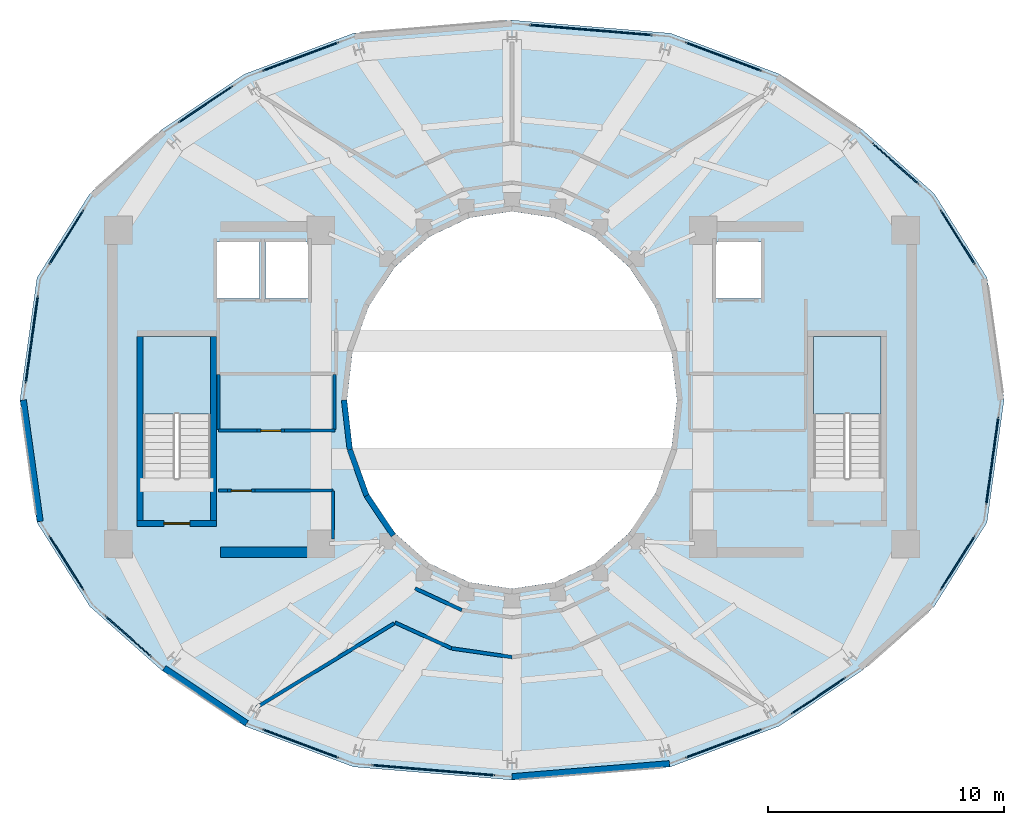
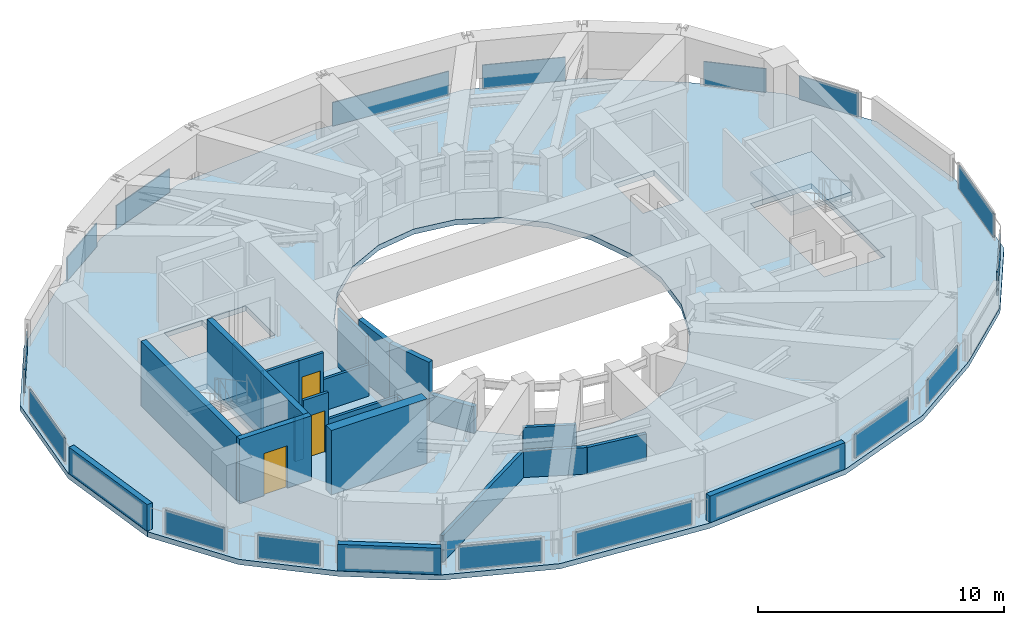
# One storey, part 13 of 18: 23 walls, 16 plates, 3 doors, 3 slabs, 3 openings, 18 elements without a shape of their own.
"""IFC4 building model written with IfcOpenShell, lengths in metres."""

from ifc_helpers import new_model, si_unit, direction, frame, frame_2d, origin, origin_2d, place, context, subcontext, project, spatial, polyline, rectangle, outline, extrude, material, layer, layer_set, type_object, element, fill, aggregate, save


model = new_model("IFC4")

# Units and contexts
model_context = context("Model", 3, precision=1e-05, world=origin(), true_north=direction((0.0, 1.0)))
body_context = subcontext(model_context, "Body", "Model", "MODEL_VIEW")
ifc_project = project(units=[si_unit("LENGTHUNIT", "METRE"), si_unit("AREAUNIT", "SQUARE_METRE"), si_unit("VOLUMEUNIT", "CUBIC_METRE"), si_unit("PLANEANGLEUNIT", "RADIAN"), si_unit("MASSUNIT", "GRAM", prefix="KILO")], contexts=[model_context])

# Site, building, storey
site_placement = place(None, origin())
site = spatial("IfcSite", under=ifc_project, at=site_placement, CompositionType="ELEMENT")
building_placement = place(site_placement, origin())
building = spatial("IfcBuilding", under=site, at=building_placement, Name="Solvane Sanctuary Tower", CompositionType="ELEMENT")
storey_placement = place(building_placement, frame((0.0, 0.0, 263.60009765625)))
storey = spatial("IfcBuildingStorey", under=building, at=storey_placement, Name="L80", CompositionType="ELEMENT", Elevation=263.60009765625)

# Curtain wall, plate
ifc_material_1 = material(Name="Anodised Aluminium 6063-T6", Category="aluminium")
ifc_layer_1 = layer(ifc_material_1, 0.219970703125, Name="Anodised Aluminium 6063-T6")
ifc_layer_set_1 = layer_set([ifc_layer_1], Name="Anodised Aluminium 6063-T6")
curtain_wall_type = type_object("IfcCurtainWallType", Name="Curtain Wall CW-CROWN", PredefinedType="NOTDEFINED", material=ifc_layer_set_1)
curtain_wall_1_placement = place(storey_placement, origin())
curtain_wall_1 = element("IfcCurtainWall", 1, at=curtain_wall_1_placement, inside=storey, type_object=curtain_wall_type, Name="L80 Crown Fritted Lantern Curtain Wall 01", PredefinedType="NOTDEFINED")
ifc_material_2 = material(Name="Acoustic Spandrel Glass", Category="glass")
ifc_layer_2 = layer(ifc_material_2, 0.052001953125, Name="Acoustic Spandrel Glass")
ifc_layer_set_2 = layer_set([ifc_layer_2], Name="Acoustic Spandrel Glass")
plate_type = type_object("IfcPlateType", Name="Plate PN-SPANDREL", PredefinedType="CURTAIN_PANEL", material=ifc_layer_set_2)
plate_1_placement = place(storey_placement, frame((50.893310546875, 29.908203125, 0.074951171875), z_axis=(0.0, 0.0, 1.0), x_axis=(-0.533045395022, 0.846086642635, 0.0)))
plate_1 = element("IfcPlate", 2, at=plate_1_placement, type_object=plate_type, Name="CW-CROWN panel 1.1", PredefinedType="CURTAIN_PANEL", context=body_context, shape_type="SweptSolid", body=[
    extrude(rectangle(XDim=2.7177734375, YDim=0.052001953125, at=origin_2d()), origin(), (0.0, 0.0, 1.0), 1.169921875),
])
aggregate(curtain_wall_1, [plate_1])

curtain_wall_2_placement = place(storey_placement, origin())
curtain_wall_2 = element("IfcCurtainWall", 3, at=curtain_wall_2_placement, inside=storey, type_object=curtain_wall_type, Name="L80 Crown Fritted Lantern Curtain Wall 02", PredefinedType="NOTDEFINED")
plate_2_placement = place(storey_placement, frame((48.264404296875, 33.018310546875, 0.074951171875), z_axis=(0.0, 0.0, 1.0), x_axis=(-0.748020944116, 0.663675121701, 0.0)))
plate_2 = element("IfcPlate", 4, at=plate_2_placement, type_object=plate_type, Name="CW-CROWN panel 1.1", PredefinedType="CURTAIN_PANEL", context=body_context, shape_type="SweptSolid", body=[
    extrude(rectangle(XDim=2.60888671875, YDim=0.052001953125, at=origin_2d()), origin(), (0.0, 0.0, 1.0), 1.169921875),
])
aggregate(curtain_wall_2, [plate_2])

curtain_wall_3_placement = place(storey_placement, origin())
curtain_wall_3 = element("IfcCurtainWall", 5, at=curtain_wall_3_placement, inside=storey, type_object=curtain_wall_type, Name="L80 Crown Fritted Lantern Curtain Wall 04", PredefinedType="NOTDEFINED")
plate_3_placement = place(storey_placement, frame((40.96337890625, 37.56103515625, 0.074951171875), z_axis=(0.0, 0.0, 1.0), x_axis=(-0.936555938396, 0.350518151106, 0.0)))
plate_3 = element("IfcPlate", 6, at=plate_3_placement, type_object=plate_type, Name="CW-CROWN panel 1.1", PredefinedType="CURTAIN_PANEL", context=body_context, shape_type="SweptSolid", body=[
    extrude(rectangle(XDim=3.435302734375, YDim=0.052001953125, at=origin_2d()), origin(), (0.0, 0.0, 1.0), 1.169921875),
])
aggregate(curtain_wall_3, [plate_3])

curtain_wall_4_placement = place(storey_placement, origin())
curtain_wall_4 = element("IfcCurtainWall", 7, at=curtain_wall_4_placement, inside=storey, type_object=curtain_wall_type, Name="L80 Crown Fritted Lantern Curtain Wall 05", PredefinedType="NOTDEFINED")
plate_4_placement = place(storey_placement, frame((35.337890625, 38.693115234375, 0.074951171875), z_axis=(0.0, 0.0, 1.0), x_axis=(-0.996601360103, 0.082375536663, 0.0)))
plate_4 = element("IfcPlate", 8, at=plate_4_placement, type_object=plate_type, Name="CW-CROWN panel 1.1", PredefinedType="CURTAIN_PANEL", context=body_context, shape_type="SweptSolid", body=[
    extrude(rectangle(XDim=5.24853515625, YDim=0.052001953125, at=origin_2d()), origin(), (0.0, 0.0, 1.0), 1.169921875),
])
aggregate(curtain_wall_4, [plate_4])

curtain_wall_5_placement = place(storey_placement, origin())
curtain_wall_5 = element("IfcCurtainWall", 9, at=curtain_wall_5_placement, inside=storey, type_object=curtain_wall_type, Name="L80 Crown Fritted Lantern Curtain Wall 07", PredefinedType="NOTDEFINED")
plate_5_placement = place(storey_placement, frame((23.03662109375, 37.56103515625, 0.074951171875), z_axis=(0.0, 0.0, 1.0), x_axis=(-0.936555938396, -0.350518151106, 0.0)))
plate_5 = element("IfcPlate", 10, at=plate_5_placement, type_object=plate_type, Name="CW-CROWN panel 1.1", PredefinedType="CURTAIN_PANEL", context=body_context, shape_type="SweptSolid", body=[
    extrude(rectangle(XDim=3.435302734375, YDim=0.052001953125, at=origin_2d()), origin(), (0.0, 0.0, 1.0), 1.169921875),
])
aggregate(curtain_wall_5, [plate_5])

curtain_wall_6_placement = place(storey_placement, origin())
curtain_wall_6 = element("IfcCurtainWall", 11, at=curtain_wall_6_placement, inside=storey, type_object=curtain_wall_type, Name="L80 Crown Fritted Lantern Curtain Wall 08", PredefinedType="NOTDEFINED")
plate_6_placement = place(storey_placement, frame((19.001220703125, 35.53515625, 0.074951171875), z_axis=(0.0, 0.0, 1.0), x_axis=(-0.830995369933, -0.556279331945, 0.0)))
plate_6 = element("IfcPlate", 12, at=plate_6_placement, type_object=plate_type, Name="CW-CROWN panel 1.1", PredefinedType="CURTAIN_PANEL", context=body_context, shape_type="SweptSolid", body=[
    extrude(rectangle(XDim=2.75634765625, YDim=0.052001953125, at=origin_2d()), origin(), (0.0, 0.0, 1.0), 1.169921875),
])
aggregate(curtain_wall_6, [plate_6])

curtain_wall_7_placement = place(storey_placement, origin())
curtain_wall_7 = element("IfcCurtainWall", 13, at=curtain_wall_7_placement, inside=storey, type_object=curtain_wall_type, Name="L80 Crown Fritted Lantern Curtain Wall 10", PredefinedType="NOTDEFINED")
plate_7_placement = place(storey_placement, frame((13.106689453125, 29.908203125, 0.074951171875), z_axis=(0.0, 0.0, 1.0), x_axis=(-0.533045395022, -0.846086642635, 0.0)))
plate_7 = element("IfcPlate", 14, at=plate_7_placement, type_object=plate_type, Name="CW-CROWN panel 1.1", PredefinedType="CURTAIN_PANEL", context=body_context, shape_type="SweptSolid", body=[
    extrude(rectangle(XDim=2.7177734375, YDim=0.052001953125, at=origin_2d()), origin(), (0.0, 0.0, 1.0), 1.169921875),
])
aggregate(curtain_wall_7, [plate_7])

curtain_wall_8_placement = place(storey_placement, origin())
curtain_wall_8 = element("IfcCurtainWall", 15, at=curtain_wall_8_placement, inside=storey, type_object=curtain_wall_type, Name="L80 Crown Fritted Lantern Curtain Wall 11", PredefinedType="NOTDEFINED")
plate_8_placement = place(storey_placement, frame((11.637939453125, 25.572509765625, 0.074951171875), z_axis=(0.0, 0.0, 1.0), x_axis=(-0.13780768099, -0.990459006249, 0.0)))
plate_8 = element("IfcPlate", 16, at=plate_8_placement, type_object=plate_type, Name="CW-CROWN panel 1.1", PredefinedType="CURTAIN_PANEL", context=body_context, shape_type="SweptSolid", body=[
    extrude(rectangle(XDim=3.74462890625, YDim=0.052001953125, at=origin_2d()), origin(), (0.0, 0.0, 1.0), 1.169921875),
])
aggregate(curtain_wall_8, [plate_8])

curtain_wall_9_placement = place(storey_placement, origin())
curtain_wall_9 = element("IfcCurtainWall", 17, at=curtain_wall_9_placement, inside=storey, type_object=curtain_wall_type, Name="L80 Crown Fritted Lantern Curtain Wall 13", PredefinedType="NOTDEFINED")
plate_9_placement = place(storey_placement, frame((13.106689453125, 16.091796875, 0.074951171875), z_axis=(0.0, 0.0, 1.0), x_axis=(0.533045395022, -0.846086642635, 0.0)))
plate_9 = element("IfcPlate", 18, at=plate_9_placement, type_object=plate_type, Name="CW-CROWN panel 1.1", PredefinedType="CURTAIN_PANEL", context=body_context, shape_type="SweptSolid", body=[
    extrude(rectangle(XDim=2.7177734375, YDim=0.052001953125, at=origin_2d()), origin(), (0.0, 0.0, 1.0), 1.169921875),
])
aggregate(curtain_wall_9, [plate_9])

curtain_wall_10_placement = place(storey_placement, origin())
curtain_wall_10 = element("IfcCurtainWall", 19, at=curtain_wall_10_placement, inside=storey, type_object=curtain_wall_type, Name="L80 Crown Fritted Lantern Curtain Wall 14", PredefinedType="NOTDEFINED")
plate_10_placement = place(storey_placement, frame((15.735595703125, 12.981689453125, 0.074951171875), z_axis=(0.0, 0.0, 1.0), x_axis=(0.748020944116, -0.663675121701, 0.0)))
plate_10 = element("IfcPlate", 20, at=plate_10_placement, type_object=plate_type, Name="CW-CROWN panel 1.1", PredefinedType="CURTAIN_PANEL", context=body_context, shape_type="SweptSolid", body=[
    extrude(rectangle(XDim=2.60888671875, YDim=0.052001953125, at=origin_2d()), origin(), (0.0, 0.0, 1.0), 1.169921875),
])
aggregate(curtain_wall_10, [plate_10])

curtain_wall_11_placement = place(storey_placement, origin())
curtain_wall_11 = element("IfcCurtainWall", 21, at=curtain_wall_11_placement, inside=storey, type_object=curtain_wall_type, Name="L80 Crown Fritted Lantern Curtain Wall 16", PredefinedType="NOTDEFINED")
plate_11_placement = place(storey_placement, frame((23.03662109375, 8.43896484375, 0.074951171875), z_axis=(0.0, 0.0, 1.0), x_axis=(0.936555938396, -0.350518151106, 0.0)))
plate_11 = element("IfcPlate", 22, at=plate_11_placement, type_object=plate_type, Name="CW-CROWN panel 1.1", PredefinedType="CURTAIN_PANEL", context=body_context, shape_type="SweptSolid", body=[
    extrude(rectangle(XDim=3.435302734375, YDim=0.052001953125, at=origin_2d()), origin(), (0.0, 0.0, 1.0), 1.169921875),
])
aggregate(curtain_wall_11, [plate_11])

curtain_wall_12_placement = place(storey_placement, origin())
curtain_wall_12 = element("IfcCurtainWall", 23, at=curtain_wall_12_placement, inside=storey, type_object=curtain_wall_type, Name="L80 Crown Fritted Lantern Curtain Wall 17", PredefinedType="NOTDEFINED")
plate_12_placement = place(storey_placement, frame((28.662109375, 7.306884765625, 0.074951171875), z_axis=(0.0, 0.0, 1.0), x_axis=(0.996601360103, -0.082375536663, 0.0)))
plate_12 = element("IfcPlate", 24, at=plate_12_placement, type_object=plate_type, Name="CW-CROWN panel 1.1", PredefinedType="CURTAIN_PANEL", context=body_context, shape_type="SweptSolid", body=[
    extrude(rectangle(XDim=5.24853515625, YDim=0.052001953125, at=origin_2d()), origin(), (0.0, 0.0, 1.0), 1.169921875),
])
aggregate(curtain_wall_12, [plate_12])

curtain_wall_13_placement = place(storey_placement, origin())
curtain_wall_13 = element("IfcCurtainWall", 25, at=curtain_wall_13_placement, inside=storey, type_object=curtain_wall_type, Name="L80 Crown Fritted Lantern Curtain Wall 19", PredefinedType="NOTDEFINED")
plate_13_placement = place(storey_placement, frame((40.96337890625, 8.43896484375, 0.074951171875), z_axis=(0.0, 0.0, 1.0), x_axis=(0.936555938396, 0.350518151106, 0.0)))
plate_13 = element("IfcPlate", 26, at=plate_13_placement, type_object=plate_type, Name="CW-CROWN panel 1.1", PredefinedType="CURTAIN_PANEL", context=body_context, shape_type="SweptSolid", body=[
    extrude(rectangle(XDim=3.435302734375, YDim=0.052001953125, at=origin_2d()), origin(), (0.0, 0.0, 1.0), 1.169921875),
])
aggregate(curtain_wall_13, [plate_13])

curtain_wall_14_placement = place(storey_placement, origin())
curtain_wall_14 = element("IfcCurtainWall", 27, at=curtain_wall_14_placement, inside=storey, type_object=curtain_wall_type, Name="L80 Crown Fritted Lantern Curtain Wall 20", PredefinedType="NOTDEFINED")
plate_14_placement = place(storey_placement, frame((44.998779296875, 10.46484375, 0.074951171875), z_axis=(0.0, 0.0, 1.0), x_axis=(0.830995369933, 0.556279331945, 0.0)))
plate_14 = element("IfcPlate", 28, at=plate_14_placement, type_object=plate_type, Name="CW-CROWN panel 1.1", PredefinedType="CURTAIN_PANEL", context=body_context, shape_type="SweptSolid", body=[
    extrude(rectangle(XDim=2.75634765625, YDim=0.052001953125, at=origin_2d()), origin(), (0.0, 0.0, 1.0), 1.169921875),
])
aggregate(curtain_wall_14, [plate_14])

curtain_wall_15_placement = place(storey_placement, origin())
curtain_wall_15 = element("IfcCurtainWall", 29, at=curtain_wall_15_placement, inside=storey, type_object=curtain_wall_type, Name="L80 Crown Fritted Lantern Curtain Wall 22", PredefinedType="NOTDEFINED")
plate_15_placement = place(storey_placement, frame((50.893310546875, 16.091796875, 0.074951171875), z_axis=(0.0, 0.0, 1.0), x_axis=(0.533045395022, 0.846086642635, 0.0)))
plate_15 = element("IfcPlate", 30, at=plate_15_placement, type_object=plate_type, Name="CW-CROWN panel 1.1", PredefinedType="CURTAIN_PANEL", context=body_context, shape_type="SweptSolid", body=[
    extrude(rectangle(XDim=2.7177734375, YDim=0.052001953125, at=origin_2d()), origin(), (0.0, 0.0, 1.0), 1.169921875),
])
aggregate(curtain_wall_15, [plate_15])

curtain_wall_16_placement = place(storey_placement, origin())
curtain_wall_16 = element("IfcCurtainWall", 31, at=curtain_wall_16_placement, inside=storey, type_object=curtain_wall_type, Name="L80 Crown Fritted Lantern Curtain Wall 23", PredefinedType="NOTDEFINED")
plate_16_placement = place(storey_placement, frame((52.362060546875, 20.427490234375, 0.074951171875), z_axis=(0.0, 0.0, 1.0), x_axis=(0.13780768099, 0.990459006249, 0.0)))
plate_16 = element("IfcPlate", 32, at=plate_16_placement, type_object=plate_type, Name="CW-CROWN panel 1.1", PredefinedType="CURTAIN_PANEL", context=body_context, shape_type="SweptSolid", body=[
    extrude(rectangle(XDim=3.74462890625, YDim=0.052001953125, at=origin_2d()), origin(), (0.0, 0.0, 1.0), 1.169921875),
])
aggregate(curtain_wall_16, [plate_16])

# Slab
ifc_material_3 = material(Name="Concrete C50/60", Category="concrete")
ifc_layer_3 = layer(ifc_material_3, 0.260009765625, Name="Concrete C50/60")
ifc_layer_set_3 = layer_set([ifc_layer_3], Name="Concrete C50/60")
slab_type_1 = type_object("IfcSlabType", Name="Slab SL-CROWN-260", PredefinedType="FLOOR", material=ifc_layer_set_3)
slab_1_placement = place(storey_placement, frame((0.0, 0.0, -0.260009765625)))
element("IfcSlab", 33, at=slab_1_placement, inside=storey, type_object=slab_type_1, Name="L80 Primary Structural Slab", PredefinedType="FLOOR", context=body_context, shape_type="SweptSolid", body=[
    extrude(outline(polyline([(52.860107421875, 23.0), (52.139404296875, 28.190185546875), (49.902587890625, 31.747314453125), (46.845947265625, 34.464599609375), (43.3271484375, 36.8251953125), (38.720703125, 38.552490234375), (32.0, 39.10888671875), (25.279296875, 38.552490234375), (20.6728515625, 36.8251953125), (17.154052734375, 34.464599609375), (14.097412109375, 31.747314453125), (11.860595703125, 28.190185546875), (11.139892578125, 23.0), (11.860595703125, 17.809814453125), (14.097412109375, 14.252685546875), (17.154052734375, 11.535400390625), (20.6728515625, 9.1748046875), (25.279296875, 7.447509765625), (32.0, 6.89111328125), (38.720703125, 7.447509765625), (43.3271484375, 9.1748046875), (46.845947265625, 11.535400390625), (49.902587890625, 14.252685546875), (52.139404296875, 17.809814453125), (52.860107421875, 23.0)]), holes=[polyline([(38.761474609375, 20.929443359375), (38.062255859375, 19.0), (36.94970703125, 17.343017578125), (35.5, 16.07177734375), (33.811767578125, 15.272705078125), (32.0, 15.0), (30.188232421875, 15.272705078125), (28.5, 16.07177734375), (27.05029296875, 17.343017578125), (25.937744140625, 19.0), (25.238525390625, 20.929443359375), (25.0, 23.0), (25.238525390625, 25.070556640625), (25.937744140625, 27.0), (27.05029296875, 28.656982421875), (28.5, 29.92822265625), (30.188232421875, 30.727294921875), (32.0, 31.0), (33.811767578125, 30.727294921875), (35.5, 29.92822265625), (36.94970703125, 28.656982421875), (38.062255859375, 27.0), (38.761474609375, 25.070556640625), (39.0, 23.0), (38.761474609375, 20.929443359375)]), polyline([(16.360107421875, 19.699951171875), (16.360107421875, 25.699951171875), (19.219970703125, 25.699951171875), (19.219970703125, 19.699951171875), (16.360107421875, 19.699951171875)]), polyline([(44.780029296875, 19.699951171875), (44.780029296875, 25.699951171875), (47.639892578125, 25.699951171875), (47.639892578125, 19.699951171875), (44.780029296875, 19.699951171875)]), polyline([(19.5, 29.699951171875), (21.300048828125, 29.699951171875), (21.300048828125, 27.300048828125), (19.5, 27.300048828125), (19.5, 29.699951171875)]), polyline([(21.550048828125, 29.699951171875), (23.35009765625, 29.699951171875), (23.35009765625, 27.300048828125), (21.550048828125, 27.300048828125), (21.550048828125, 29.699951171875)]), polyline([(40.64990234375, 29.699951171875), (42.550048828125, 29.699951171875), (42.550048828125, 27.300048828125), (40.64990234375, 27.300048828125), (40.64990234375, 29.699951171875)])]), origin(), (0.0, 0.0, 1.0), 0.260009765625),
])

# Stair, slab
ifc_material_4 = material(Name="Concrete C45/55", Category="concrete")
stair_type = type_object("IfcStairType", Name="Stair ST-TOW", PredefinedType="HALF_TURN_STAIR", material=ifc_material_4)
stair_1_placement = place(storey_placement, origin())
stair_1 = element("IfcStair", 34, at=stair_1_placement, inside=storey, type_object=stair_type, Name="L80 Exit Stair ST-1 West Core", PredefinedType="HALF_TURN_STAIR")
ifc_layer_4 = layer(ifc_material_4, 0.199951171875, Name="Concrete C45/55")
ifc_layer_set_4 = layer_set([ifc_layer_4], Name="Concrete C45/55")
slab_type_2 = type_object("IfcSlabType", Name="Slab SL-LAND-180", PredefinedType="LANDING", material=ifc_layer_set_4)
slab_2_placement = place(storey_placement, frame((0.0, 0.0, 1.39990234375)))
slab_2 = element("IfcSlab", 35, at=slab_2_placement, type_object=slab_type_2, Name="ST-1 landing 1", PredefinedType="LANDING", context=body_context, shape_type="SweptSolid", body=[
    extrude(outline(polyline([(19.219970703125, 22.39990234375), (19.219970703125, 25.699951171875), (16.360107421875, 25.699951171875), (16.360107421875, 22.39990234375), (19.219970703125, 22.39990234375)])), origin(), (0.0, 0.0, 1.0), 0.199951171875),
])
aggregate(stair_1, [slab_2])

stair_2_placement = place(storey_placement, origin())
stair_2 = element("IfcStair", 36, at=stair_2_placement, inside=storey, type_object=stair_type, Name="L80 Exit Stair ST-2 East Core", PredefinedType="HALF_TURN_STAIR")
slab_3_placement = place(storey_placement, frame((0.0, 0.0, 1.39990234375)))
slab_3 = element("IfcSlab", 37, at=slab_3_placement, type_object=slab_type_2, Name="ST-2 landing 1", PredefinedType="LANDING", context=body_context, shape_type="SweptSolid", body=[
    extrude(outline(polyline([(47.639892578125, 22.39990234375), (47.639892578125, 25.699951171875), (44.780029296875, 25.699951171875), (44.780029296875, 22.39990234375), (47.639892578125, 22.39990234375)])), origin(), (0.0, 0.0, 1.0), 0.199951171875),
])
aggregate(stair_2, [slab_3])

# Walls
ifc_layer_5 = layer(ifc_material_3, 0.449951171875, Name="Concrete C50/60")
ifc_layer_set_5 = layer_set([ifc_layer_5], Name="Concrete C50/60")
wall_type_1 = type_object("IfcWallType", Name="Wall W-CORE-450", PredefinedType="SHEAR", material=ifc_layer_set_5)
wall_1_placement = place(storey_placement, frame((19.64990234375, 16.550048828125, 0.0), z_axis=(0.0, 0.0, 1.0), x_axis=(1.0, 0.0, 0.0)))
element("IfcWall", 38, at=wall_1_placement, inside=storey, type_object=wall_type_1, Name="L80 Core Shear Wall WC-S", PredefinedType="SHEAR", context=body_context, shape_type="SweptSolid", body=[
    extrude(rectangle(XDim=4.5, YDim=0.449951171875, at=frame_2d((2.25, 0.0))), origin(), (0.0, 0.0, 1.0), 3.199951171875),
])
ifc_material_5 = material(Name="Acoustic Gypsum Partition Board")
ifc_layer_6 = layer(ifc_material_5, 0.14990234375, Name="Acoustic Gypsum Partition Board")
ifc_layer_set_6 = layer_set([ifc_layer_6], Name="Acoustic Gypsum Partition Board")
wall_type_2 = type_object("IfcWallType", Name="Wall W-CORR-150", PredefinedType="PARTITIONING", material=ifc_layer_set_6)
wall_2_placement = place(storey_placement, frame((27.889892578125, 15.01513671875, 0.0), z_axis=(0.0, 0.0, 1.0), x_axis=(0.906943449489, -0.421252393975, 0.0)))
element("IfcWall", 39, at=wall_2_placement, inside=storey, type_object=wall_type_2, Name="L80 Light-Well Corridor Rim Wall S1", PredefinedType="PARTITIONING", context=body_context, shape_type="SweptSolid", body=[
    extrude(rectangle(XDim=2.18603515625, YDim=0.14990234375, at=frame_2d((1.093017578125, 0.0))), origin(), (0.0, 0.0, 1.0), 1.31982421875),
])
wall_3_placement = place(storey_placement, frame((27.003173828125, 13.531494140625, 0.0), z_axis=(0.0, 0.0, 1.0), x_axis=(-0.853465247428, -0.521149759122, 0.0)))
element("IfcWall", 40, at=wall_3_placement, inside=storey, type_object=wall_type_2, Name="L80 Mechanical Plant Radial Wall 240", PredefinedType="PARTITIONING", context=body_context, shape_type="SweptSolid", body=[
    extrude(rectangle(XDim=6.842041015625, YDim=0.14990234375, at=frame_2d((3.4208984375, 0.0))), origin(), (0.0, 0.0, 1.0), 1.31982421875),
])
wall_4_placement = place(storey_placement, frame((27.0439453125, 13.564208984375, 0.0), z_axis=(0.0, 0.0, 1.0), x_axis=(0.909736731002, -0.415185597373, 0.0)))
element("IfcWall", 41, at=wall_4_placement, inside=storey, type_object=wall_type_2, Name="L80 Plant Corridor Wall 3", PredefinedType="PARTITIONING", context=body_context, shape_type="SweptSolid", body=[
    extrude(rectangle(XDim=2.63330078125, YDim=0.14990234375, at=frame_2d((1.316650390625, 0.0))), origin(), (0.0, 0.0, 1.0), 1.31982421875),
])
wall_5_placement = place(storey_placement, frame((29.43603515625, 12.471923828125, 0.0), z_axis=(0.0, 0.0, 1.0), x_axis=(0.989661180186, -0.143425062082, 0.0)))
element("IfcWall", 42, at=wall_5_placement, inside=storey, type_object=wall_type_2, Name="L80 Plant Corridor Wall 3", PredefinedType="PARTITIONING", context=body_context, shape_type="SweptSolid", body=[
    extrude(rectangle(XDim=2.592529296875, YDim=0.14990234375, at=frame_2d((1.29638671875, 0.0))), origin(), (0.0, 0.0, 1.0), 1.31982421875),
])
ifc_material_6 = material(Name="Precast concrete C40/50", Category="concrete")
ifc_layer_7 = layer(ifc_material_6, 0.260009765625, Name="Precast concrete C40/50")
ifc_layer_set_7 = layer_set([ifc_layer_7], Name="Precast concrete C40/50")
wall_type_3 = type_object("IfcWallType", Name="Wall W-EXT-250", PredefinedType="STANDARD", material=ifc_layer_set_7)
wall_6_placement = place(storey_placement, frame((11.280029296875, 23.0, 0.0), z_axis=(0.0, 0.0, 1.0), x_axis=(0.137801477505, -0.990459869352, 0.0)))
element("IfcWall", 43, at=wall_6_placement, inside=storey, type_object=wall_type_3, Name="L80 Crown Acoustic Louvred Wall 12", PredefinedType="STANDARD", context=body_context, shape_type="SweptSolid", body=[
    extrude(rectangle(XDim=5.194580078125, YDim=0.260009765625, at=frame_2d((2.59716796875, 0.0))), origin(), (0.0, 0.0, 1.0), 1.31982421875),
])
wall_7_placement = place(storey_placement, frame((17.253662109375, 11.635009765625, 0.0), z_axis=(0.0, 0.0, 1.0), x_axis=(0.83095030216, -0.556346650336, 0.0)))
element("IfcWall", 44, at=wall_7_placement, inside=storey, type_object=wall_type_3, Name="L80 Crown Acoustic Louvred Wall 15", PredefinedType="STANDARD", context=body_context, shape_type="SweptSolid", body=[
    extrude(rectangle(XDim=4.2060546875, YDim=0.260009765625, at=frame_2d((2.10302734375, 0.0))), origin(), (0.0, 0.0, 1.0), 1.31982421875),
])
wall_8_placement = place(storey_placement, frame((32.0, 7.031005859375, 0.0), z_axis=(0.0, 0.0, 1.0), x_axis=(0.996601833255, 0.08236981214, 0.0)))
element("IfcWall", 45, at=wall_8_placement, inside=storey, type_object=wall_type_3, Name="L80 Crown Acoustic Louvred Wall 18", PredefinedType="STANDARD", context=body_context, shape_type="SweptSolid", body=[
    extrude(rectangle(XDim=6.698486328125, YDim=0.260009765625, at=frame_2d((3.34912109375, 0.0))), origin(), (0.0, 0.0, 1.0), 1.31982421875),
])
ifc_layer_8 = layer(ifc_material_6, 0.22998046875, Name="Precast concrete C40/50")
ifc_layer_set_8 = layer_set([ifc_layer_8], Name="Precast concrete C40/50")
wall_type_4 = type_object("IfcWallType", Name="Wall W-EXT-SP220", PredefinedType="STANDARD", material=ifc_layer_set_8)
wall_9_placement = place(storey_placement, frame((24.8798828125, 23.0, 0.0), z_axis=(0.0, 0.0, 1.0), x_axis=(0.114711713601, -0.993398823617, 0.0)))
element("IfcWall", 46, at=wall_9_placement, inside=storey, type_object=wall_type_4, Name="L80 Central Light-Well Wall 12", PredefinedType="STANDARD", context=body_context, shape_type="SweptSolid", body=[
    extrude(rectangle(XDim=2.115478515625, YDim=0.22998046875, at=frame_2d((1.0576171875, 0.0))), origin(), (0.0, 0.0, 1.0), 2.89990234375),
])
wall_10_placement = place(storey_placement, frame((25.12255859375, 20.8984375, 0.0), z_axis=(0.0, 0.0, 1.0), x_axis=(0.341423187295, -0.93990968033, 0.0)))
element("IfcWall", 47, at=wall_10_placement, inside=storey, type_object=wall_type_4, Name="L80 Central Light-Well Wall 13", PredefinedType="STANDARD", context=body_context, shape_type="SweptSolid", body=[
    extrude(rectangle(XDim=2.083740234375, YDim=0.22998046875, at=frame_2d((1.0419921875, 0.0))), origin(), (0.0, 0.0, 1.0), 2.89990234375),
])
wall_11_placement = place(storey_placement, frame((25.833984375, 18.93994140625, 0.0), z_axis=(0.0, 0.0, 1.0), x_axis=(0.558197800898, -0.829707909492, 0.0)))
element("IfcWall", 48, at=wall_11_placement, inside=storey, type_object=wall_type_4, Name="L80 Central Light-Well Wall 14", PredefinedType="STANDARD", context=body_context, shape_type="SweptSolid", body=[
    extrude(rectangle(XDim=2.02685546875, YDim=0.22998046875, at=frame_2d((1.013427734375, 0.0))), origin(), (0.0, 0.0, 1.0), 1.31982421875),
])
ifc_layer_9 = layer(ifc_material_5, 0.125, Name="Acoustic Gypsum Partition Board")
ifc_layer_set_9 = layer_set([ifc_layer_9], Name="Acoustic Gypsum Partition Board")
wall_type_5 = type_object("IfcWallType", Name="Wall W-PART-125", PredefinedType="PARTITIONING", material=ifc_layer_set_9)
wall_12_placement = place(storey_placement, frame((19.550048828125, 19.159912109375, 0.0), z_axis=(0.0, 0.0, 1.0), x_axis=(1.0, 0.0, 0.0)))
element("IfcWall", 49, at=wall_12_placement, inside=storey, type_object=wall_type_5, Name="L80 Reclaimed Room Partition PLW", PredefinedType="PARTITIONING", context=body_context, shape_type="SweptSolid", body=[
    extrude(rectangle(XDim=0.389892578125, YDim=0.125, at=frame_2d((0.19482421875, 0.0))), origin(), (0.0, 0.0, 1.0), 2.219970703125),
])

# Wall, opening, door
wall_13_placement = place(storey_placement, frame((19.93994140625, 19.159912109375, 0.0), z_axis=(0.0, 0.0, 1.0), x_axis=(1.0, 0.0, 0.0)))
wall_13 = element("IfcWall", 50, at=wall_13_placement, inside=storey, type_object=wall_type_5, Name="L80 Reclaimed Room Partition PLW", PredefinedType="PARTITIONING", context=body_context, shape_type="SweptSolid", body=[
    extrude(rectangle(XDim=1.170166015625, YDim=0.125, at=frame_2d((0.5849609375, 0.0))), origin(), (0.0, 0.0, 1.0), 2.914794921875),
])
opening_1_placement = place(wall_13_placement, frame((0.159912109375, 0.0, 0.0)))
opening_1 = element("IfcOpeningElement", 51, at=opening_1_placement, cuts=wall_13, Name="Opening D-L80-05", PredefinedType="OPENING", context=body_context, shape_type="SweptSolid", body=[
    extrude(rectangle(XDim=0.85009765625, YDim=2.050048828125, at=frame_2d((0.425048828125, 1.02490234375))), frame((0.0, 0.072509765625, 0.0), z_axis=(0.0, -1.0, 0.0), x_axis=(1.0, 0.0, 0.0)), (0.0, 0.0, 1.0), 0.14501953125),
])
ifc_material_7 = material(Name="Architectural Stainless Steel 316", Category="steel")
door_type_1 = type_object("IfcDoorType", Name="Door D-RISER", OperationType="NOTDEFINED", PredefinedType="DOOR", material=ifc_material_7)
door_1_placement = place(opening_1_placement, origin())
door_1 = element("IfcDoor", 52, at=door_1_placement, inside=storey, type_object=door_type_1, Name="L80 Reclaimed Room Door PLW-1", OperationType="SINGLE_SWING_RIGHT", OverallHeight=2.050048828125, OverallWidth=0.85009765625, PredefinedType="DOOR", context=body_context, shape_type="SweptSolid", body=[
    extrude(rectangle(XDim=0.85009765625, YDim=2.050048828125, at=frame_2d((0.425048828125, 1.02490234375))), frame((0.0, 0.02490234375, 0.0), z_axis=(0.0, -1.0, 0.0), x_axis=(1.0, 0.0, 0.0)), (0.0, 0.0, 1.0), 0.050048828125),
])
fill(opening_1, door_1)

# Walls
wall_14_placement = place(storey_placement, frame((21.110107421875, 19.159912109375, 0.0), z_axis=(0.0, 0.0, 1.0), x_axis=(1.0, 0.0, 0.0)))
element("IfcWall", 53, at=wall_14_placement, inside=storey, type_object=wall_type_5, Name="L80 Reclaimed Room Partition PLW", PredefinedType="PARTITIONING", context=body_context, shape_type="SweptSolid", body=[
    extrude(rectangle(XDim=3.309814453125, YDim=0.125, at=frame_2d((1.65478515625, 0.0))), origin(), (0.0, 0.0, 1.0), 1.56982421875),
])
wall_15_placement = place(storey_placement, frame((24.419921875, 17.10009765625, 0.0), z_axis=(0.0, 0.0, 1.0), x_axis=(0.0, 1.0, 0.0)))
element("IfcWall", 54, at=wall_15_placement, inside=storey, type_object=wall_type_5, Name="L80 Reclaimed Room Closer Wall PLW-1", PredefinedType="PARTITIONING", context=body_context, shape_type="SweptSolid", body=[
    extrude(rectangle(XDim=2.039794921875, YDim=0.125, at=frame_2d((1.02001953125, 0.0))), origin(), (0.0, 0.0, 1.0), 1.56982421875),
])
wall_16_placement = place(storey_placement, frame((19.550048828125, 21.699951171875, 0.0), z_axis=(0.0, 0.0, 1.0), x_axis=(1.0, 0.0, 0.0)))
element("IfcWall", 55, at=wall_16_placement, inside=storey, type_object=wall_type_5, Name="L80 Reclaimed Room Partition PMW", PredefinedType="PARTITIONING", context=body_context, shape_type="SweptSolid", body=[
    extrude(rectangle(XDim=1.639892578125, YDim=0.125, at=frame_2d((0.81982421875, 0.0))), origin(), (0.0, 0.0, 1.0), 2.914794921875),
])

# Wall, opening, door
wall_17_placement = place(storey_placement, frame((21.18994140625, 21.699951171875, 0.0), z_axis=(0.0, 0.0, 1.0), x_axis=(1.0, 0.0, 0.0)))
wall_17 = element("IfcWall", 56, at=wall_17_placement, inside=storey, type_object=wall_type_5, Name="L80 Reclaimed Room Partition PMW", PredefinedType="PARTITIONING", context=body_context, shape_type="SweptSolid", body=[
    extrude(rectangle(XDim=1.170166015625, YDim=0.125, at=frame_2d((0.5849609375, 0.0))), origin(), (0.0, 0.0, 1.0), 2.914794921875),
])
opening_2_placement = place(wall_17_placement, frame((0.159912109375, 0.0, 0.0)))
opening_2 = element("IfcOpeningElement", 57, at=opening_2_placement, cuts=wall_17, Name="Opening D-L80-07", PredefinedType="OPENING", context=body_context, shape_type="SweptSolid", body=[
    extrude(rectangle(XDim=0.85009765625, YDim=2.050048828125, at=frame_2d((0.425048828125, 1.02490234375))), frame((0.0, 0.072509765625, 0.0), z_axis=(0.0, -1.0, 0.0), x_axis=(1.0, 0.0, 0.0)), (0.0, 0.0, 1.0), 0.14501953125),
])
door_2_placement = place(opening_2_placement, origin())
door_2 = element("IfcDoor", 58, at=door_2_placement, inside=storey, type_object=door_type_1, Name="L80 Reclaimed Room Door PMW-1", OperationType="SINGLE_SWING_RIGHT", OverallHeight=2.050048828125, OverallWidth=0.85009765625, PredefinedType="DOOR", context=body_context, shape_type="SweptSolid", body=[
    extrude(rectangle(XDim=0.85009765625, YDim=2.050048828125, at=frame_2d((0.425048828125, 1.02490234375))), frame((0.0, 0.02490234375, 0.0), z_axis=(0.0, -1.0, 0.0), x_axis=(1.0, 0.0, 0.0)), (0.0, 0.0, 1.0), 0.050048828125),
])
fill(opening_2, door_2)

# Walls
wall_18_placement = place(storey_placement, frame((22.360107421875, 21.699951171875, 0.0), z_axis=(0.0, 0.0, 1.0), x_axis=(1.0, 0.0, 0.0)))
element("IfcWall", 59, at=wall_18_placement, inside=storey, type_object=wall_type_5, Name="L80 Reclaimed Room Partition PMW", PredefinedType="PARTITIONING", context=body_context, shape_type="SweptSolid", body=[
    extrude(rectangle(XDim=2.139892578125, YDim=0.125, at=frame_2d((1.06982421875, 0.0))), origin(), (0.0, 0.0, 1.0), 1.56982421875),
])
for number, where, z_axis, x_axis, name in (
    (60, (19.550048828125, 21.760009765625, 0.0), (0.0, 0.0, 1.0), (0.0, 1.0, 0.0), "L80 Reclaimed Room Closer Wall PMW-1"),
    (61, (24.47998046875, 21.760009765625, 0.0), (0.0, 0.0, 1.0), (0.0, 1.0, 0.0), "L80 Reclaimed Room Closer Wall PMW-2"),
):
    element("IfcWall", number, at=place(storey_placement, frame(where, z_axis=z_axis, x_axis=x_axis)), inside=storey, type_object=wall_type_5, Name=name, PredefinedType="PARTITIONING", context=body_context, shape_type="SweptSolid", body=[
        extrude(rectangle(XDim=2.320068359375, YDim=0.125, at=frame_2d((1.16015625, 0.0))), origin(), (0.0, 0.0, 1.0), 2.914794921875),
    ])

# Wall, opening, door
ifc_layer_10 = layer(ifc_material_3, 0.25, Name="Concrete C50/60")
ifc_layer_set_10 = layer_set([ifc_layer_10], Name="Concrete C50/60")
wall_type_6 = type_object("IfcWallType", Name="Wall W-SHAFT-250", PredefinedType="SOLIDWALL", material=ifc_layer_set_10)
wall_19_placement = place(storey_placement, frame((16.10498046875, 17.77001953125, 0.0), z_axis=(0.0, 0.0, 1.0), x_axis=(1.0, 0.0, 0.0)))
wall_19 = element("IfcWall", 62, at=wall_19_placement, inside=storey, type_object=wall_type_6, Name="L80 ST-1 Load-Bearing Shaft Wall S", PredefinedType="SOLIDWALL", context=body_context, shape_type="SweptSolid", body=[
    extrude(rectangle(XDim=3.3701171875, YDim=0.25, at=frame_2d((1.68505859375, 0.0))), origin(), (0.0, 0.0, 1.0), 3.199951171875),
])
opening_3_placement = place(wall_19_placement, frame((1.135009765625, 0.0, 0.0)))
opening_3 = element("IfcOpeningElement", 63, at=opening_3_placement, cuts=wall_19, Name="Opening D-L80-01", PredefinedType="OPENING", context=body_context, shape_type="SweptSolid", body=[
    extrude(rectangle(XDim=1.10009765625, YDim=2.10009765625, at=frame_2d((0.550048828125, 1.050048828125))), frame((0.0, 0.135009765625, 0.0), z_axis=(0.0, -1.0, 0.0), x_axis=(1.0, 0.0, 0.0)), (0.0, 0.0, 1.0), 0.27001953125),
])
door_type_2 = type_object("IfcDoorType", Name="Door D-STAIR", OperationType="NOTDEFINED", PredefinedType="DOOR", material=ifc_material_7)
door_3_placement = place(opening_3_placement, origin())
door_3 = element("IfcDoor", 64, at=door_3_placement, inside=storey, type_object=door_type_2, Name="L80 ST-1 Exit Stair Fire Door", OperationType="SINGLE_SWING_LEFT", OverallHeight=2.10009765625, OverallWidth=1.10009765625, PredefinedType="DOOR", context=body_context, shape_type="SweptSolid", body=[
    extrude(rectangle(XDim=1.10009765625, YDim=2.10009765625, at=frame_2d((0.550048828125, 1.050048828125))), frame((0.0, 0.02490234375, 0.0), z_axis=(0.0, -1.0, 0.0), x_axis=(1.0, 0.0, 0.0)), (0.0, 0.0, 1.0), 0.050048828125),
])
fill(opening_3, door_3)

# Walls
for number, where, z_axis, x_axis, name in (
    (65, (16.22998046875, 17.89501953125, 0.0), (0.0, 0.0, 1.0), (0.0, 1.0, 0.0), "L80 ST-1 Load-Bearing Shaft Wall W"),
    (66, (19.35009765625, 17.89501953125, 0.0), (0.0, 0.0, 1.0), (0.0, 1.0, 0.0), "L80 ST-1 Load-Bearing Shaft Wall E"),
):
    element("IfcWall", number, at=place(storey_placement, frame(where, z_axis=z_axis, x_axis=x_axis)), inside=storey, type_object=wall_type_6, Name=name, PredefinedType="SOLIDWALL", context=body_context, shape_type="SweptSolid", body=[
        extrude(rectangle(XDim=7.81005859375, YDim=0.25, at=frame_2d((3.905029296875, 0.0))), origin(), (0.0, 0.0, 1.0), 3.199951171875),
    ])

save(model, "model.ifc")
